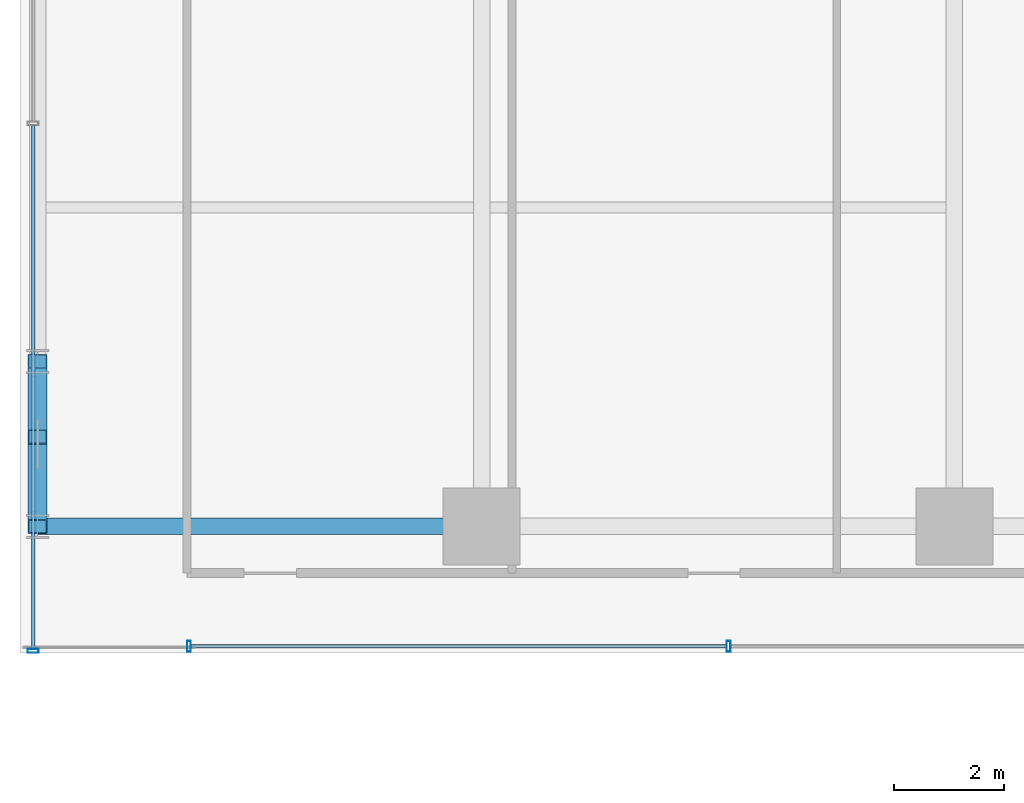
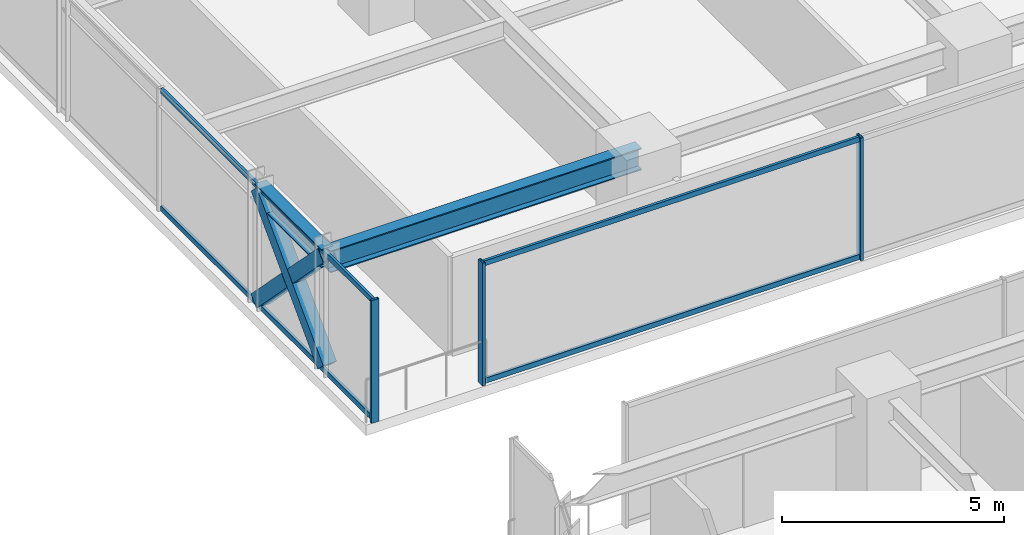
# One storey, part 19 of 43: 10 members, 2 beams, 2 elements without a shape of their own.
"""IFC4 building model written with IfcOpenShell, lengths in metres."""

import ifcopenshell
import ifcopenshell.guid

model = None  # the IFC model being written
_history = None  # IfcOwnerHistory: only IFC2X3 demands one
_inside = {}  # id of a spatial element -> (the spatial element, [elements in it])
_under = {}  # id of a project, library or spatial element -> (it, [spatial elements below it])
_declared = {}  # id of a project -> (the project, [libraries it declares])
_typed = {}  # id of a type object -> (the type object, [elements of that type])
_made_of = {}  # id of a material, layer set ... -> (it, [elements and type objects made of it])


def new_model(schema):
    """Start an empty IFC model of exactly this schema.

    Asked for "IFC4X3", IfcOpenShell would pick the latest addendum, in which some entities
    have other attributes; the version numbers below select the first issue.
    IFC2X3 requires an IfcOwnerHistory on every rooted entity: one is made here for all.
    """
    global model, _history
    if schema == "IFC4X3":
        model = ifcopenshell.file(schema_version=(4, 3, 0, 0))
    else:
        model = ifcopenshell.file(schema=schema)
    _inside.clear()
    _under.clear()
    _declared.clear()
    _typed.clear()
    _made_of.clear()
    _history = None
    if model.schema == "IFC2X3":
        org = make("IfcOrganization", Name="unknown")
        user = make(
            "IfcPersonAndOrganization",
            ThePerson=make("IfcPerson", FamilyName="unknown"),
            TheOrganization=org,
        )
        app = make(
            "IfcApplication",
            ApplicationDeveloper=org,
            Version="unknown",
            ApplicationFullName="unknown",
            ApplicationIdentifier="unknown",
        )
        _history = make(
            "IfcOwnerHistory",
            OwningUser=user,
            OwningApplication=app,
            ChangeAction="ADDED",
            CreationDate=0,
        )
    return model


def make(cls, **values):
    """One entity of the class cls with the attributes given. An attribute that is None is left unset."""
    return model.create_entity(
        cls, **{name: value for name, value in values.items() if value is not None}
    )


def rooted(cls, **values):
    """An entity with a GlobalId (a new one), such as an element, a storey or a relation."""
    return make(cls, GlobalId=ifcopenshell.guid.new(), OwnerHistory=_history, **values)


def si_unit(unit_type, name, prefix=None):
    """IfcSIUnit, for example si_unit("LENGTHUNIT", "METRE", prefix="MILLI")."""
    return make("IfcSIUnit", UnitType=unit_type, Prefix=prefix, Name=name)


def assignment(units):
    """IfcUnitAssignment: the units of a project."""
    return None if units is None else make("IfcUnitAssignment", Units=units)


def point(xyz):
    """IfcCartesianPoint."""
    return None if xyz is None else make("IfcCartesianPoint", Coordinates=xyz)


def direction(xyz):
    """IfcDirection."""
    return None if xyz is None else make("IfcDirection", DirectionRatios=xyz)


def frame(location, z_axis=None, x_axis=None):
    """IfcAxis2Placement3D, a coordinate frame: its origin and axes. An axis left out is left unset."""
    return make(
        "IfcAxis2Placement3D",
        Location=point(location),
        Axis=direction(z_axis),
        RefDirection=direction(x_axis),
    )


def frame_2d(location, x_axis=None):
    """IfcAxis2Placement2D, a coordinate frame in the plane: its origin and x axis."""
    return make(
        "IfcAxis2Placement2D", Location=point(location), RefDirection=direction(x_axis)
    )


def origin():
    """The frame at (0, 0, 0) with its axes left unset."""
    return frame((0.0, 0.0, 0.0))


def origin_2d():
    """The frame at (0, 0) in the plane with its x axis left unset."""
    return frame_2d((0.0, 0.0))


def place(relative_to, where):
    """IfcLocalPlacement: puts the frame where relative to a parent placement (None: the world)."""
    return make(
        "IfcLocalPlacement", PlacementRelTo=relative_to, RelativePlacement=where
    )


def context(
    kind, dimensions, precision=None, world=None, true_north=None, identifier=None
):
    """IfcGeometricRepresentationContext, for example the 3D "Model" context."""
    return make(
        "IfcGeometricRepresentationContext",
        ContextIdentifier=identifier,
        ContextType=kind,
        CoordinateSpaceDimension=dimensions,
        Precision=precision,
        WorldCoordinateSystem=world,
        TrueNorth=true_north,
    )


def subcontext(parent, identifier, kind, view, scale=None):
    """IfcGeometricRepresentationSubContext, for example "Body" below "Model"."""
    return make(
        "IfcGeometricRepresentationSubContext",
        ContextIdentifier=identifier,
        ContextType=kind,
        ParentContext=parent,
        TargetScale=scale,
        TargetView=view,
    )


def project(units=None, contexts=None):
    """IfcProject with its units and contexts."""
    return rooted(
        "IfcProject",
        Name="project",
        RepresentationContexts=contexts,
        UnitsInContext=assignment(units),
    )


def spatial(cls, under=None, at=None, **own):
    """A site, building, storey or space (cls), placed at a placement, below another one or the project."""
    s = rooted(cls, ObjectPlacement=at, **own)
    if under is not None:
        _under.setdefault(under.id(), (under, []))[1].append(s)
    return s


def profile(cls, at=None, kind="AREA", **sizes):
    """A parametric profile (cls). Its sizes go by their IFC names, for example OverallWidth=200.0."""
    return make(cls, ProfileType=kind, Position=at, **sizes)


def hollow_rectangle(**sizes):
    """IfcRectangleHollowProfileDef."""
    return profile("IfcRectangleHollowProfileDef", **sizes)


def i_section(**sizes):
    """IfcIShapeProfileDef."""
    return profile("IfcIShapeProfileDef", **sizes)


def extrude(swept, where, along, depth):
    """IfcExtrudedAreaSolid: the profile swept, set in the frame where, extruded along a direction by depth."""
    return make(
        "IfcExtrudedAreaSolid",
        SweptArea=swept,
        Position=where,
        ExtrudedDirection=direction(along),
        Depth=depth,
    )


def shape(context_of_items, identifier, shape_type, items):
    """IfcShapeRepresentation: the items that make up one representation, for example the "Body"."""
    return make(
        "IfcShapeRepresentation",
        ContextOfItems=context_of_items,
        RepresentationIdentifier=identifier,
        RepresentationType=shape_type,
        Items=items,
    )


def source(mapping_origin, context_of_items, identifier, shape_type, items):
    """IfcRepresentationMap: a shape defined once, which mapped items show again and again."""
    return make(
        "IfcRepresentationMap",
        MappingOrigin=mapping_origin,
        MappedRepresentation=shape(context_of_items, identifier, shape_type, items),
    )


def transform(
    local_origin,
    x_axis=None,
    y_axis=None,
    z_axis=None,
    scale=None,
    scale2=None,
    scale3=None,
    uniform=True,
):
    """IfcCartesianTransformationOperator3D, or its non-uniform kind. x_axis, y_axis, z_axis: its Axis1, 2, 3."""
    if uniform:
        return make(
            "IfcCartesianTransformationOperator3D",
            Axis1=direction(x_axis),
            Axis2=direction(y_axis),
            LocalOrigin=point(local_origin),
            Scale=scale,
            Axis3=direction(z_axis),
        )
    return make(
        "IfcCartesianTransformationOperator3DnonUniform",
        Axis1=direction(x_axis),
        Axis2=direction(y_axis),
        LocalOrigin=point(local_origin),
        Scale=scale,
        Axis3=direction(z_axis),
        Scale2=scale2,
        Scale3=scale3,
    )


def mapped(mapping_source, mapping_target):
    """IfcMappedItem: shows the shape of a source again, moved by a transform."""
    return make(
        "IfcMappedItem", MappingSource=mapping_source, MappingTarget=mapping_target
    )


def material(Name=None, Category=None):
    """IfcMaterial."""
    return make("IfcMaterial", Name=Name, Category=Category)


def material_profile(
    of_material, cross_section, Name=None, Category=None, Priority=None
):
    """IfcMaterialProfile: a cross section and its material."""
    return make(
        "IfcMaterialProfile",
        Name=Name,
        Material=of_material,
        Profile=cross_section,
        Priority=Priority,
        Category=Category,
    )


def profile_set(profiles, Name=None, composite=None):
    """IfcMaterialProfileSet."""
    return make(
        "IfcMaterialProfileSet",
        Name=Name,
        MaterialProfiles=profiles,
        CompositeProfile=composite,
    )


def made_of(thing, what):
    """Note that an element or type object is made of a material, layer set ...; save() writes the relation."""
    if what is not None:
        _made_of.setdefault(what.id(), (what, []))[1].append(thing)
    return thing


def type_object(cls, material=None, **own):
    """A type object (cls), such as IfcWallType, which elements share."""
    return made_of(rooted(cls, **own), material)


def element(
    cls,
    number,
    at=None,
    inside=None,
    cuts=None,
    type_object=None,
    material=None,
    context=None,
    identifier="Body",
    shape_type=None,
    held_by="IfcProductDefinitionShape",
    body=None,
    shapes=None,
    **own,
):
    """One element of the class cls, such as IfcWall. Its Tag is "e" and its number.

    at: its placement. inside: the storey or other place that contains it. cuts: it is an
    opening in that element (IfcRelVoidsElement). A single representation is given by context,
    identifier, shape_type and body (its items); several are given by shapes. held_by: the class
    of the entity that holds the representations. save() writes the other relations.
    """
    e = rooted(cls, Tag="e%d" % number, ObjectPlacement=at, **own)
    if body is not None:
        shapes = [shape(context, identifier, shape_type, body)]
    if shapes is not None:
        e.Representation = make(held_by, Representations=shapes)
    if inside is not None:
        _inside.setdefault(inside.id(), (inside, []))[1].append(e)
    if cuts is not None:
        rooted(
            "IfcRelVoidsElement", RelatingBuildingElement=cuts, RelatedOpeningElement=e
        )
    if type_object is not None:
        _typed.setdefault(type_object.id(), (type_object, []))[1].append(e)
    return made_of(e, material)


def aggregate(whole, parts):
    """IfcRelAggregates: a whole, such as a stair, and the parts it consists of."""
    return rooted("IfcRelAggregates", RelatingObject=whole, RelatedObjects=parts)


def save(model, path):
    """Write the relations noted so far, then the file.

    IfcRelAggregates (storeys below a building ...), IfcRelContainedInSpatialStructure (elements
    in a storey), IfcRelDefinesByType, IfcRelAssociatesMaterial and IfcRelDeclares: one each for
    every whole, place, type object, material and project.
    """
    for whole, parts in _under.values():
        aggregate(whole, parts)
    for where, things in _inside.values():
        rooted(
            "IfcRelContainedInSpatialStructure",
            RelatedElements=things,
            RelatingStructure=where,
        )
    for kind, things in _typed.values():
        rooted("IfcRelDefinesByType", RelatedObjects=things, RelatingType=kind)
    for what, things in _made_of.values():
        rooted("IfcRelAssociatesMaterial", RelatedObjects=things, RelatingMaterial=what)
    for by, libraries in _declared.values():
        rooted("IfcRelDeclares", RelatingContext=by, RelatedDefinitions=libraries)
    model.write(path)


model = new_model("IFC4")

# Units and contexts
model_context = context("Model", 3, precision=1e-05, world=origin(), true_north=direction((0.0, 1.0)))
body_context = subcontext(model_context, "Body", "Model", "MODEL_VIEW")
ifc_project = project(units=[si_unit("LENGTHUNIT", "METRE"), si_unit("AREAUNIT", "SQUARE_METRE"), si_unit("VOLUMEUNIT", "CUBIC_METRE"), si_unit("PLANEANGLEUNIT", "RADIAN"), si_unit("MASSUNIT", "GRAM", prefix="KILO")], contexts=[model_context])

# Site, building, storey
site_placement = place(None, origin())
site = spatial("IfcSite", under=ifc_project, at=site_placement, CompositionType="ELEMENT")
building_placement = place(site_placement, origin())
building = spatial("IfcBuilding", under=site, at=building_placement, Name="Nahalor Promenade Grand Hotel", CompositionType="ELEMENT")
storey_placement = place(building_placement, frame((0.0, 0.0, 57.949951171875)))
storey = spatial("IfcBuildingStorey", under=building, at=storey_placement, Name="L13", CompositionType="ELEMENT", Elevation=57.949951171875)

# Beams
ifc_material_1 = material(Name="Steel S355JR", Category="steel")
ifc_material_profile_1 = material_profile(ifc_material_1, i_section(OverallWidth=0.3, OverallDepth=0.5, WebThickness=0.0145, FlangeThickness=0.028, at=origin_2d()), Name="HEB 500")
ifc_profile_set_1 = profile_set([ifc_material_profile_1], Name="Steel S355JR")
beam_type_1 = type_object("IfcBeamType", Name="Beam-Spandrel-HEB500", PredefinedType="SPANDREL", material=ifc_profile_set_1)
shared_shape_1 = source(origin(), body_context, "Body", "SweptSolid", [
    extrude(i_section(OverallWidth=0.3, OverallDepth=0.5, WebThickness=0.0145, FlangeThickness=0.028, at=origin_2d()), origin(), (0.0, 0.0, 1.0), 3.0),
])
beam_1_placement = place(storey_placement, frame((-25.080078125, 5.39990234375, 3.1201171875), z_axis=(0.0, 1.0, 0.0), x_axis=(-1.0, 0.0, 0.0)))
element("IfcBeam", 1, at=beam_1_placement, inside=storey, type_object=beam_type_1, Name="BM-L13-SP-W-3", PredefinedType="SPANDREL", context=body_context, shape_type="MappedRepresentation", body=[
    mapped(shared_shape_1, transform((0.0, 0.0, 0.0), scale=1.0)),
])
ifc_material_profile_2 = material_profile(ifc_material_1, i_section(OverallWidth=0.3, OverallDepth=0.6, WebThickness=0.0155, FlangeThickness=0.03, at=origin_2d()), Name="HEB 600")
ifc_profile_set_2 = profile_set([ifc_material_profile_2], Name="Steel S355JR")
beam_type_2 = type_object("IfcBeamType", Name="Beam-Girder-HEB600", PredefinedType="BEAM", material=ifc_profile_set_2)
shared_shape_2 = source(origin(), body_context, "Body", "SweptSolid", [
    extrude(i_section(OverallWidth=0.3, OverallDepth=0.6, WebThickness=0.0155, FlangeThickness=0.03, at=origin_2d()), origin(), (0.0, 0.0, 1.0), 8.080078125),
])
beam_2_placement = place(storey_placement, frame((-25.080078125, 5.39990234375, 3.070068359375), z_axis=(1.0, 0.0, 0.0), x_axis=(0.0, 1.0, 0.0)))
element("IfcBeam", 2, at=beam_2_placement, inside=storey, type_object=beam_type_2, Name="BM-L13-GX-2-0", PredefinedType="BEAM", context=body_context, shape_type="MappedRepresentation", body=[
    mapped(shared_shape_2, transform((0.0, 0.0, 0.0), scale=1.0)),
])

# Members
ifc_material_profile_3 = material_profile(ifc_material_1, hollow_rectangle(XDim=0.35, YDim=0.35, WallThickness=0.02, at=origin_2d()), Name="SHS 350x350x20")
ifc_profile_set_3 = profile_set([ifc_material_profile_3], Name="Steel S355JR")
member_type_1 = type_object("IfcMemberType", Name="Mem-VoidBrace-SHS350", PredefinedType="BRACE", material=ifc_profile_set_3)
shared_shape_3 = source(origin(), body_context, "Body", "SweptSolid", [
    extrude(hollow_rectangle(XDim=0.35, YDim=0.35, WallThickness=0.02, at=origin_2d()), origin(), (0.0, 0.0, 1.0), 1.959228515625),
])
member_1_placement = place(storey_placement, frame((-25.080078125, 6.769287109375, 1.81884765625), z_axis=(0.0, -0.698960471031, 0.715160303663), x_axis=(1.0, 0.0, 0.0)))
element("IfcMember", 3, at=member_1_placement, inside=storey, type_object=member_type_1, Name="EXO-L13-VX2-W1B", PredefinedType="BRACE", context=body_context, shape_type="MappedRepresentation", body=[
    mapped(shared_shape_3, transform((0.0, 0.0, 0.0), scale=1.0)),
])
shared_shape_4 = source(origin(), body_context, "Body", "SweptSolid", [
    extrude(hollow_rectangle(XDim=0.35, YDim=0.35, WallThickness=0.02, at=origin_2d()), origin(), (0.0, 0.0, 1.0), 1.958984375),
])
member_2_placement = place(storey_placement, frame((-25.080078125, 8.39990234375, 0.150146484375), z_axis=(0.0, -0.698896728293, 0.715222596946), x_axis=(1.0, 0.0, 0.0)))
element("IfcMember", 4, at=member_2_placement, inside=storey, type_object=member_type_1, Name="EXO-L13-VX2-W1A", PredefinedType="BRACE", context=body_context, shape_type="MappedRepresentation", body=[
    mapped(shared_shape_4, transform((0.0, 0.0, 0.0), scale=1.0)),
])
shared_shape_5 = source(origin(), body_context, "Body", "SweptSolid", [
    extrude(hollow_rectangle(XDim=0.35, YDim=0.35, WallThickness=0.02, at=origin_2d()), origin(), (0.0, 0.0, 1.0), 4.292236328125),
])
member_3_placement = place(storey_placement, frame((-25.080078125, 5.39990234375, 0.150146484375), z_axis=(0.0, 0.698926335708, 0.715193664159), x_axis=(-1.0, 0.0, 0.0)))
element("IfcMember", 5, at=member_3_placement, inside=storey, type_object=member_type_1, Name="EXO-L13-VX1-W1", PredefinedType="BRACE", context=body_context, shape_type="MappedRepresentation", body=[
    mapped(shared_shape_5, transform((0.0, 0.0, 0.0), scale=1.0)),
])

# Curtain wall, members
ifc_material_2 = material(Name="Anodised Bronze Aluminium EN AW-6063 T6", Category="aluminium")
curtain_wall_type = type_object("IfcCurtainWallType", Name="CW3 Elliptical-Void Collar Unitised Curtain Wall", PredefinedType="USERDEFINED", material=ifc_material_2)
curtain_wall_1_placement = place(storey_placement, origin())
curtain_wall_1 = element("IfcCurtainWall", 6, at=curtain_wall_1_placement, inside=storey, type_object=curtain_wall_type, Name="L13 Curtain Wall CW-L13-VOID-WN1", ObjectType="UNITISED_CURTAIN_WALL", PredefinedType="USERDEFINED")
ifc_material_profile_4 = material_profile(ifc_material_2, hollow_rectangle(XDim=0.07, YDim=0.14, WallThickness=0.004, at=origin_2d()), Name="CWT 70x140x4")
ifc_profile_set_4 = profile_set([ifc_material_profile_4], Name="Anodised Bronze Aluminium EN AW-6063 T6")
member_type_2 = type_object("IfcMemberType", Name="CWT3 Void Collar Transom 70x140", PredefinedType="USERDEFINED", material=ifc_profile_set_4)
shared_shape_6 = source(origin(), body_context, "Body", "SweptSolid", [
    extrude(hollow_rectangle(XDim=0.07, YDim=0.14, WallThickness=0.004, at=origin_2d()), origin(), (0.0, 0.0, 1.0), 9.748291015625),
])
member_4_placement = place(storey_placement, frame((-22.2900390625, 3.219970703125, 0.070068359375), z_axis=(1.0, 0.0, 0.0), x_axis=(0.0, 1.0, 0.0)))
member_4 = element("IfcMember", 7, at=member_4_placement, type_object=member_type_2, Name="CW-L13-VOID-WN1 Transom 0-0", ObjectType="TRANSOM", PredefinedType="USERDEFINED", context=body_context, shape_type="MappedRepresentation", body=[
    mapped(shared_shape_6, transform((0.0, 0.0, 0.0), scale=1.0)),
])
member_5_placement = place(storey_placement, frame((-22.2900390625, 3.219970703125, 3.300048828125), z_axis=(1.0, 0.0, 0.0), x_axis=(0.0, 1.0, 0.0)))
member_5 = element("IfcMember", 8, at=member_5_placement, type_object=member_type_2, Name="CW-L13-VOID-WN1 Transom 0-1", ObjectType="TRANSOM", PredefinedType="USERDEFINED", context=body_context, shape_type="MappedRepresentation", body=[
    mapped(shared_shape_6, transform((0.0, 0.0, 0.0), scale=1.0)),
])

# Curtain wall, member
curtain_wall_2_placement = place(storey_placement, origin())
curtain_wall_2 = element("IfcCurtainWall", 9, at=curtain_wall_2_placement, inside=storey, type_object=curtain_wall_type, Name="L13 Curtain Wall CW-L13-W-2", ObjectType="UNITISED_CURTAIN_WALL", PredefinedType="USERDEFINED")
ifc_material_profile_5 = material_profile(ifc_material_2, hollow_rectangle(XDim=0.07, YDim=0.2, WallThickness=0.005, at=origin_2d()), Name="CWM 70x200x5")
ifc_profile_set_5 = profile_set([ifc_material_profile_5], Name="Anodised Bronze Aluminium EN AW-6063 T6")
member_type_3 = type_object("IfcMemberType", Name="CWM3 Void Collar Mullion 70x200", PredefinedType="MULLION", material=ifc_profile_set_5)
shared_shape_7 = source(origin(), body_context, "Body", "SweptSolid", [
    extrude(hollow_rectangle(XDim=0.07, YDim=0.2, WallThickness=0.005, at=origin_2d()), origin(), (0.0, 0.0, 1.0), 3.3701171875),
])
member_6_placement = place(storey_placement, frame((-25.159912109375, 3.135009765625, 0.0), z_axis=(0.0, 0.0, 1.0), x_axis=(0.0, 1.0, 0.0)))
member_6 = element("IfcMember", 10, at=member_6_placement, type_object=member_type_3, Name="CW-L13-W-2 Mullion 0", PredefinedType="MULLION", context=body_context, shape_type="MappedRepresentation", body=[
    mapped(shared_shape_7, transform((0.0, 0.0, 0.0), scale=1.0)),
])

# Member
member_7_placement = place(storey_placement, frame((-22.324951171875, 3.219970703125, 0.0), z_axis=(0.0, 0.0, 1.0), x_axis=(1.0, 0.0, 0.0)))
member_7 = element("IfcMember", 11, at=member_7_placement, type_object=member_type_3, Name="CW-L13-VOID-WN1 Mullion 0", PredefinedType="MULLION", context=body_context, shape_type="MappedRepresentation", body=[
    mapped(shared_shape_7, transform((0.0, 0.0, 0.0), scale=1.0)),
])

member_8_placement = place(storey_placement, frame((-12.506591796875, 3.219970703125, 0.0), z_axis=(0.0, 0.0, 1.0), x_axis=(1.0, 0.0, 0.0)))
member_8 = element("IfcMember", 12, at=member_8_placement, type_object=member_type_3, Name="CW-L13-VOID-WN1 Mullion 1", PredefinedType="MULLION", context=body_context, shape_type="MappedRepresentation", body=[
    mapped(shared_shape_7, transform((0.0, 0.0, 0.0), scale=1.0)),
])

aggregate(curtain_wall_1, [member_7, member_8, member_4, member_5])

shared_shape_8 = source(origin(), body_context, "Body", "SweptSolid", [
    extrude(hollow_rectangle(XDim=0.07, YDim=0.14, WallThickness=0.004, at=origin_2d()), origin(), (0.0, 0.0, 1.0), 9.525146484375),
])
member_9_placement = place(storey_placement, frame((-25.159912109375, 3.169921875, 0.070068359375), z_axis=(0.0, 1.0, 0.0), x_axis=(-1.0, 0.0, 0.0)))
member_9 = element("IfcMember", 13, at=member_9_placement, type_object=member_type_2, Name="CW-L13-W-2 Transom 0-0", ObjectType="TRANSOM", PredefinedType="USERDEFINED", context=body_context, shape_type="MappedRepresentation", body=[
    mapped(shared_shape_8, transform((0.0, 0.0, 0.0), scale=1.0)),
])

member_10_placement = place(storey_placement, frame((-25.159912109375, 3.169921875, 3.300048828125), z_axis=(0.0, 1.0, 0.0), x_axis=(-1.0, 0.0, 0.0)))
member_10 = element("IfcMember", 14, at=member_10_placement, type_object=member_type_2, Name="CW-L13-W-2 Transom 0-1", ObjectType="TRANSOM", PredefinedType="USERDEFINED", context=body_context, shape_type="MappedRepresentation", body=[
    mapped(shared_shape_8, transform((0.0, 0.0, 0.0), scale=1.0)),
])

aggregate(curtain_wall_2, [member_6, member_9, member_10])

save(model, "model.ifc")
